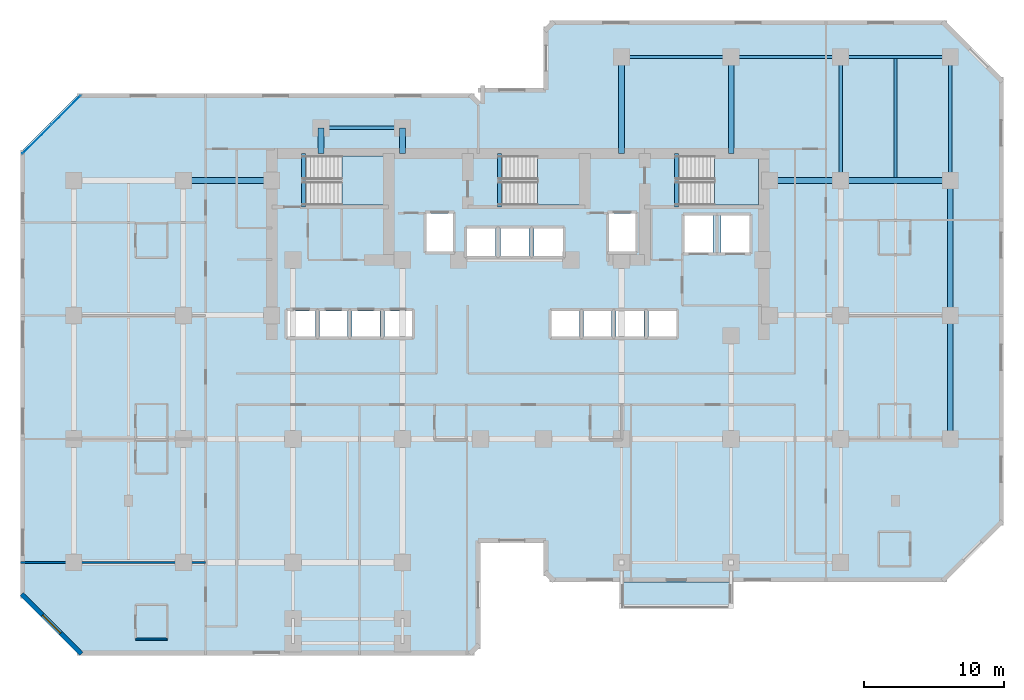
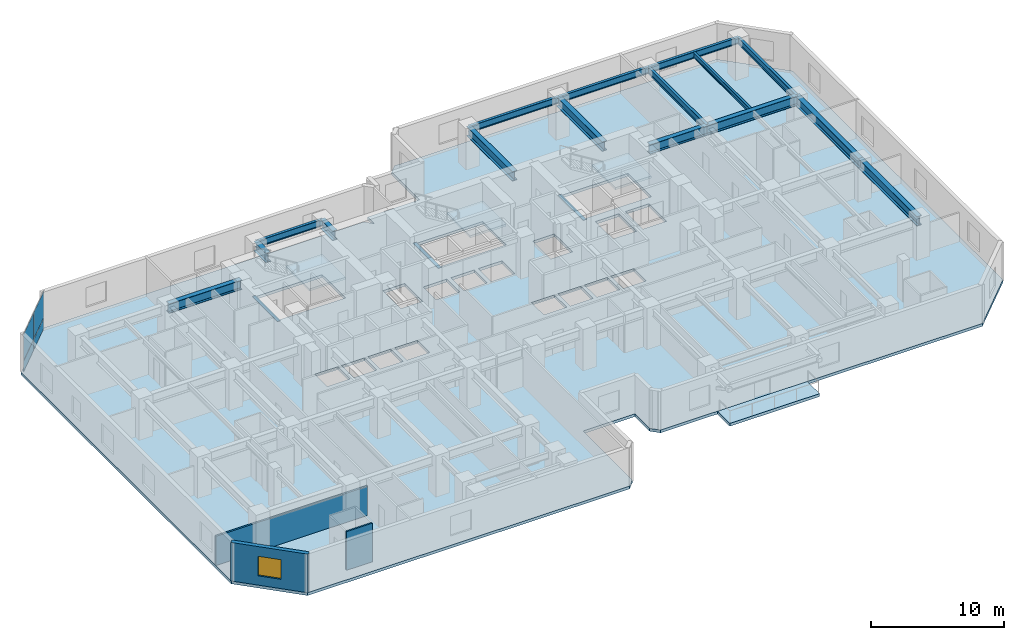
# One storey, part 4 of 11: 19 beams, 5 slabs, 4 plates, 3 walls, 1 window, 1 opening, 4 elements without a shape of their own.
"""IFC4 building model written with IfcOpenShell, lengths in metres."""

from ifc_helpers import new_model, si_unit, direction, frame, frame_2d, origin, origin_2d, place, context, subcontext, project, spatial, polyline, rectangle, i_section, outline, extrude, material, layer, layer_set, material_profile, profile_set, type_object, element, fill, aggregate, save


model = new_model("IFC4")

# Units and contexts
model_context = context("Model", 3, precision=1e-05, world=origin(), true_north=direction((0.0, 1.0)))
body_context = subcontext(model_context, "Body", "Model", "MODEL_VIEW")
ifc_project = project(units=[si_unit("LENGTHUNIT", "METRE"), si_unit("AREAUNIT", "SQUARE_METRE"), si_unit("VOLUMEUNIT", "CUBIC_METRE"), si_unit("PLANEANGLEUNIT", "RADIAN"), si_unit("MASSUNIT", "GRAM", prefix="KILO")], contexts=[model_context])

# Site, building, storey
site_placement = place(None, origin())
site = spatial("IfcSite", under=ifc_project, at=site_placement, CompositionType="ELEMENT")
building_placement = place(site_placement, origin())
building = spatial("IfcBuilding", under=site, at=building_placement, Name="Kestravale Grand Hotel", CompositionType="ELEMENT")
storey_placement = place(building_placement, frame((0.0, 0.0, 114.60009765625)))
storey = spatial("IfcBuildingStorey", under=building, at=storey_placement, Name="L28", CompositionType="ELEMENT", Elevation=114.60009765625)

# Beams
ifc_material_1 = material(Name="Steel ASTM A992 Grade 50", Category="steel")
ifc_material_profile_1 = material_profile(ifc_material_1, i_section(OverallWidth=0.19091796875, OverallDepth=0.45703125, WebThickness=0.009033203125, FlangeThickness=0.014404296875, FilletRadius=0.015380859375, at=origin_2d()))
ifc_profile_set_1 = profile_set([ifc_material_profile_1], Name="Steel ASTM A992 Grade 50")
beam_type_1 = type_object("IfcBeamType", Name="B-FLR-JST18", PredefinedType="JOIST", material=ifc_profile_set_1)
beam_1_placement = place(storey_placement, frame((66.300048828125, 38.6005859375, 3.3115234375), z_axis=(0.0, 1.0, 0.0), x_axis=(-1.0, 0.0, 0.0)))
element("IfcBeam", 1, at=beam_1_placement, inside=storey, type_object=beam_type_1, Name="L28 floor joist 10-11/F-G #1", PredefinedType="JOIST", context=body_context, shape_type="SweptSolid", body=[
    extrude(i_section(OverallWidth=0.19091796875, OverallDepth=0.45703125, WebThickness=0.009033203125, FlangeThickness=0.014404296875, FilletRadius=0.015380859375, at=origin_2d()), origin(), (0.0, 0.0, 1.0), 8.48486328125),
])
ifc_material_2 = material(Name="Concrete f'c 45 MPa", Category="concrete")
ifc_material_profile_2 = material_profile(ifc_material_2, rectangle(XDim=0.300048828125, YDim=0.39990234375, at=origin_2d()))
ifc_profile_set_2 = profile_set([ifc_material_profile_2], Name="Concrete f'c 45 MPa")
beam_type_2 = type_object("IfcBeamType", Name="B-FLR-LNT400", PredefinedType="LINTEL", material=ifc_profile_set_2)
for number, where, z_axis, x_axis, name in (
    (2, (24.159912109375, 36.52001953125, -0.2001953125), (0.0, 1.0, 0.0), (-1.0, 0.0, 0.0), "L28 ST1 flight bottom header beam"),
    (3, (38.110107421875, 36.52001953125, -0.2001953125), (0.0, 1.0, 0.0), (-1.0, 0.0, 0.0), "L28 ST2 flight bottom header beam"),
    (4, (50.7099609375, 36.52001953125, -0.2001953125), (0.0, 1.0, 0.0), (-1.0, 0.0, 0.0), "L28 ST3 flight bottom header beam"),
):
    element("IfcBeam", number, at=place(storey_placement, frame(where, z_axis=z_axis, x_axis=x_axis)), inside=storey, type_object=beam_type_2, Name=name, PredefinedType="LINTEL", context=body_context, shape_type="SweptSolid", body=[
        extrude(rectangle(XDim=0.300048828125, YDim=0.39990234375, at=origin_2d()), origin(), (0.0, 0.0, 1.0), 3.800048828125),
    ])
ifc_material_3 = material(Name="Steel ASTM A992 Grade 50", Category="steel")
ifc_material_profile_3 = material_profile(ifc_material_3, i_section(OverallWidth=0.22900390625, OverallDepth=0.612060546875, WebThickness=0.011962890625, FlangeThickness=0.01953125, FilletRadius=0.019287109375, at=origin_2d()))
ifc_profile_set_3 = profile_set([ifc_material_profile_3], Name="Steel ASTM A992 Grade 50")
beam_type_3 = type_object("IfcBeamType", Name="B-FLR-W24B", PredefinedType="SPANDREL", material=ifc_profile_set_3)
beam_2_placement = place(storey_placement, frame((46.800048828125, 47.199951171875, 3.23388671875), z_axis=(1.0, 0.0, 0.0), x_axis=(0.0, 1.0, 0.0)))
element("IfcBeam", 5, at=beam_2_placement, inside=storey, type_object=beam_type_3, Name="L28 spandrel G:8-9", PredefinedType="SPANDREL", context=body_context, shape_type="SweptSolid", body=[
    extrude(i_section(OverallWidth=0.22900390625, OverallDepth=0.612060546875, WebThickness=0.011962890625, FlangeThickness=0.01953125, FilletRadius=0.019287109375, at=origin_2d()), origin(), (0.0, 0.0, 1.0), 7.800048828125),
])
beam_3_placement = place(storey_placement, frame((54.60009765625, 47.199951171875, 3.23388671875), z_axis=(1.0, 0.0, 0.0), x_axis=(0.0, 1.0, 0.0)))
element("IfcBeam", 6, at=beam_3_placement, inside=storey, type_object=beam_type_3, Name="L28 spandrel G:9-10", PredefinedType="SPANDREL", context=body_context, shape_type="SweptSolid", body=[
    extrude(i_section(OverallWidth=0.22900390625, OverallDepth=0.612060546875, WebThickness=0.011962890625, FlangeThickness=0.01953125, FilletRadius=0.019287109375, at=origin_2d()), origin(), (0.0, 0.0, 1.0), 7.7998046875),
])
beam_4_placement = place(storey_placement, frame((62.39990234375, 47.199951171875, 3.23388671875), z_axis=(1.0, 0.0, 0.0), x_axis=(0.0, 1.0, 0.0)))
element("IfcBeam", 7, at=beam_4_placement, inside=storey, type_object=beam_type_3, Name="L28 spandrel G:10-11", PredefinedType="SPANDREL", context=body_context, shape_type="SweptSolid", body=[
    extrude(i_section(OverallWidth=0.22900390625, OverallDepth=0.612060546875, WebThickness=0.011962890625, FlangeThickness=0.01953125, FilletRadius=0.019287109375, at=origin_2d()), origin(), (0.0, 0.0, 1.0), 7.800048828125),
])
beam_5_placement = place(storey_placement, frame((25.39990234375, 42.14990234375, 3.23388671875), z_axis=(1.0, 0.0, 0.0), x_axis=(0.0, 1.0, 0.0)))
element("IfcBeam", 8, at=beam_5_placement, inside=storey, type_object=beam_type_3, Name="L28 perimeter tie spandrel FN:4-5", PredefinedType="SPANDREL", context=body_context, shape_type="SweptSolid", body=[
    extrude(i_section(OverallWidth=0.22900390625, OverallDepth=0.612060546875, WebThickness=0.011962890625, FlangeThickness=0.01953125, FilletRadius=0.019287109375, at=origin_2d()), origin(), (0.0, 0.0, 1.0), 5.800048828125),
])
for number, where, z_axis, x_axis, name in (
    (9, (62.39990234375, 38.39990234375, 3.23388671875), (0.0, 1.0, 0.0), (-1.0, 0.0, 0.0), "L28 spandrel 10:F-G"),
    (10, (70.199951171875, 38.39990234375, 3.23388671875), (0.0, 1.0, 0.0), (-1.0, 0.0, 0.0), "L28 spandrel 11:F-G"),
):
    element("IfcBeam", number, at=place(storey_placement, frame(where, z_axis=z_axis, x_axis=x_axis)), inside=storey, type_object=beam_type_3, Name=name, PredefinedType="SPANDREL", context=body_context, shape_type="SweptSolid", body=[
        extrude(i_section(OverallWidth=0.22900390625, OverallDepth=0.612060546875, WebThickness=0.011962890625, FlangeThickness=0.01953125, FilletRadius=0.019287109375, at=origin_2d()), origin(), (0.0, 0.0, 1.0), 8.800048828125),
    ])
ifc_material_4 = material(Name="Steel ASTM A992 Grade 50", Category="steel")
ifc_material_profile_4 = material_profile(ifc_material_4, i_section(OverallWidth=0.40087890625, OverallDepth=0.861083984375, WebThickness=0.019775390625, FlangeThickness=0.032470703125, FilletRadius=0.0234375, at=origin_2d()))
ifc_profile_set_4 = profile_set([ifc_material_profile_4], Name="Steel ASTM A992 Grade 50")
beam_type_4 = type_object("IfcBeamType", Name="B-GRD-W33", PredefinedType="BEAM", material=ifc_profile_set_4)
beam_6_placement = place(storey_placement, frame((15.60009765625, 38.39990234375, 3.109375), z_axis=(1.0, 0.0, 0.0), x_axis=(0.0, 1.0, 0.0)))
element("IfcBeam", 11, at=beam_6_placement, inside=storey, type_object=beam_type_4, Name="L28 girder F:3-CW", PredefinedType="BEAM", context=body_context, shape_type="SweptSolid", body=[
    extrude(i_section(OverallWidth=0.40087890625, OverallDepth=0.861083984375, WebThickness=0.019775390625, FlangeThickness=0.032470703125, FilletRadius=0.0234375, at=origin_2d()), origin(), (0.0, 0.0, 1.0), 6.2998046875),
])
beam_7_placement = place(storey_placement, frame((57.35009765625, 38.39990234375, 3.109375), z_axis=(1.0, 0.0, 0.0), x_axis=(0.0, 1.0, 0.0)))
element("IfcBeam", 12, at=beam_7_placement, inside=storey, type_object=beam_type_4, Name="L28 girder F:CE-10", PredefinedType="BEAM", context=body_context, shape_type="SweptSolid", body=[
    extrude(i_section(OverallWidth=0.40087890625, OverallDepth=0.861083984375, WebThickness=0.019775390625, FlangeThickness=0.032470703125, FilletRadius=0.0234375, at=origin_2d()), origin(), (0.0, 0.0, 1.0), 5.0498046875),
])
beam_8_placement = place(storey_placement, frame((62.39990234375, 38.39990234375, 3.109375), z_axis=(1.0, 0.0, 0.0), x_axis=(0.0, 1.0, 0.0)))
element("IfcBeam", 13, at=beam_8_placement, inside=storey, type_object=beam_type_4, Name="L28 girder F:10-11", PredefinedType="BEAM", context=body_context, shape_type="SweptSolid", body=[
    extrude(i_section(OverallWidth=0.40087890625, OverallDepth=0.861083984375, WebThickness=0.019775390625, FlangeThickness=0.032470703125, FilletRadius=0.0234375, at=origin_2d()), origin(), (0.0, 0.0, 1.0), 7.800048828125),
])
beam_9_placement = place(storey_placement, frame((70.199951171875, 20.0, 3.109375), z_axis=(0.0, 1.0, 0.0), x_axis=(-1.0, 0.0, 0.0)))
element("IfcBeam", 14, at=beam_9_placement, inside=storey, type_object=beam_type_4, Name="L28 girder 11:D-E", PredefinedType="BEAM", context=body_context, shape_type="SweptSolid", body=[
    extrude(i_section(OverallWidth=0.40087890625, OverallDepth=0.861083984375, WebThickness=0.019775390625, FlangeThickness=0.032470703125, FilletRadius=0.0234375, at=origin_2d()), origin(), (0.0, 0.0, 1.0), 8.800048828125),
])
beam_10_placement = place(storey_placement, frame((70.199951171875, 28.800048828125, 3.109375), z_axis=(0.0, 1.0, 0.0), x_axis=(-1.0, 0.0, 0.0)))
element("IfcBeam", 15, at=beam_10_placement, inside=storey, type_object=beam_type_4, Name="L28 girder 11:E-F", PredefinedType="BEAM", context=body_context, shape_type="SweptSolid", body=[
    extrude(i_section(OverallWidth=0.40087890625, OverallDepth=0.861083984375, WebThickness=0.019775390625, FlangeThickness=0.032470703125, FilletRadius=0.0234375, at=origin_2d()), origin(), (0.0, 0.0, 1.0), 9.599853515625),
])
for number, where, z_axis, x_axis, name in (
    (16, (25.39990234375, 40.320068359375, 3.109375), (0.0, 1.0, 0.0), (-1.0, 0.0, 0.0), "L28 north wing tie girder 4:CN-FN"),
    (17, (31.199951171875, 40.320068359375, 3.109375), (0.0, 1.0, 0.0), (-1.0, 0.0, 0.0), "L28 north wing tie girder 5:CN-FN"),
):
    element("IfcBeam", number, at=place(storey_placement, frame(where, z_axis=z_axis, x_axis=x_axis)), inside=storey, type_object=beam_type_4, Name=name, PredefinedType="BEAM", context=body_context, shape_type="SweptSolid", body=[
        extrude(i_section(OverallWidth=0.40087890625, OverallDepth=0.861083984375, WebThickness=0.019775390625, FlangeThickness=0.032470703125, FilletRadius=0.0234375, at=origin_2d()), origin(), (0.0, 0.0, 1.0), 1.829833984375),
    ])
for number, where, z_axis, x_axis, name in (
    (18, (46.800048828125, 40.320068359375, 3.109375), (0.0, 1.0, 0.0), (-1.0, 0.0, 0.0), "L28 north wing tie girder 8:CN-G"),
    (19, (54.60009765625, 40.320068359375, 3.109375), (0.0, 1.0, 0.0), (-1.0, 0.0, 0.0), "L28 north wing tie girder 9:CN-G"),
):
    element("IfcBeam", number, at=place(storey_placement, frame(where, z_axis=z_axis, x_axis=x_axis)), inside=storey, type_object=beam_type_4, Name=name, PredefinedType="BEAM", context=body_context, shape_type="SweptSolid", body=[
        extrude(i_section(OverallWidth=0.40087890625, OverallDepth=0.861083984375, WebThickness=0.019775390625, FlangeThickness=0.032470703125, FilletRadius=0.0234375, at=origin_2d()), origin(), (0.0, 0.0, 1.0), 6.8798828125),
    ])

# Curtain wall, plates
ifc_material_5 = material(Name="Thermally broken champagne-bronze aluminium and low-E glazing", Category="aluminium")
ifc_layer_1 = layer(ifc_material_5, 0.199951171875)
ifc_layer_set_1 = layer_set([ifc_layer_1], Name="CW-Z2")
curtain_wall_type = type_object("IfcCurtainWallType", Name="CW-Z2", PredefinedType="NOTDEFINED", material=ifc_layer_set_1)
curtain_wall_placement = place(storey_placement, origin())
curtain_wall = element("IfcCurtainWall", 20, at=curtain_wall_placement, inside=storey, type_object=curtain_wall_type, Name="L28 unitised curtain wall 18", PredefinedType="NOTDEFINED")
ifc_material_6 = material(Name="Insulated clear low-E double glazing IGU", Category="glass")
ifc_layer_2 = layer(ifc_material_6, 0.031982421875)
ifc_layer_set_2 = layer_set([ifc_layer_2], Name="CW-PNL-32")
plate_type = type_object("IfcPlateType", Name="CW-PNL-32", PredefinedType="CURTAIN_PANEL", material=ifc_layer_set_2)
plate_1_placement = place(storey_placement, frame((7.26416015625, 43.423583984375, 0.06494140625), z_axis=(0.0, 0.0, 1.0), x_axis=(-0.707106781187, -0.707106781187, 0.0)))
plate_1 = element("IfcPlate", 21, at=plate_1_placement, type_object=plate_type, Name="CW-Z2 panel 1.1", PredefinedType="CURTAIN_PANEL", context=body_context, shape_type="SweptSolid", body=[
    extrude(rectangle(XDim=2.87744140625, YDim=0.031982421875, at=origin_2d()), origin(), (0.0, 0.0, 1.0), 0.952392578125),
])
plate_2_placement = place(storey_placement, frame((7.26416015625, 43.423583984375, 1.082275390625), z_axis=(0.0, 0.0, 1.0), x_axis=(-0.707106781187, -0.707106781187, 0.0)))
plate_2 = element("IfcPlate", 22, at=plate_2_placement, type_object=plate_type, Name="CW-Z2 panel 1.2", PredefinedType="CURTAIN_PANEL", context=body_context, shape_type="SweptSolid", body=[
    extrude(rectangle(XDim=2.87744140625, YDim=0.031982421875, at=origin_2d()), origin(), (0.0, 0.0, 1.0), 2.392578125),
])
plate_3_placement = place(storey_placement, frame((5.17626953125, 41.3359375, 0.06494140625), z_axis=(0.0, 0.0, 1.0), x_axis=(-0.707106781187, -0.707106781187, 0.0)))
plate_3 = element("IfcPlate", 23, at=plate_3_placement, type_object=plate_type, Name="CW-Z2 panel 2.1", PredefinedType="CURTAIN_PANEL", context=body_context, shape_type="SweptSolid", body=[
    extrude(rectangle(XDim=2.87744140625, YDim=0.031982421875, at=origin_2d()), origin(), (0.0, 0.0, 1.0), 0.952392578125),
])
plate_4_placement = place(storey_placement, frame((5.17626953125, 41.3359375, 1.082275390625), z_axis=(0.0, 0.0, 1.0), x_axis=(-0.707106781187, -0.707106781187, 0.0)))
plate_4 = element("IfcPlate", 24, at=plate_4_placement, type_object=plate_type, Name="CW-Z2 panel 2.2", PredefinedType="CURTAIN_PANEL", context=body_context, shape_type="SweptSolid", body=[
    extrude(rectangle(XDim=2.87744140625, YDim=0.031982421875, at=origin_2d()), origin(), (0.0, 0.0, 1.0), 2.392578125),
])
aggregate(curtain_wall, [plate_1, plate_2, plate_3, plate_4])

# Slab
ifc_material_7 = material(Name="Concrete f'c 45 MPa", Category="concrete")
ifc_layer_3 = layer(ifc_material_7, 0.27001953125)
ifc_layer_set_3 = layer_set([ifc_layer_3], Name="ES-TERR-270")
slab_type_1 = type_object("IfcSlabType", Name="ES-TERR-270", PredefinedType="FLOOR", material=ifc_layer_set_3)
slab_1_placement = place(storey_placement, frame((0.0, 0.0, -0.27001953125)))
element("IfcSlab", 25, at=slab_1_placement, inside=storey, type_object=slab_type_1, Name="L28 spiralling planted garden terrace", PredefinedType="FLOOR", context=body_context, shape_type="SweptSolid", body=[
    extrude(outline(polyline([(46.800048828125, 7.949951171875), (54.60009765625, 7.949951171875), (54.60009765625, 9.800048828125), (46.800048828125, 9.800048828125), (46.800048828125, 7.949951171875)])), origin(), (0.0, 0.0, 1.0), 0.27001953125),
])

# Stair, slab
ifc_material_8 = material(Name="Concrete f'c 45 MPa", Category="concrete")
stair_type = type_object("IfcStairType", Name="ST-CORE-380", PredefinedType="HALF_TURN_STAIR", material=ifc_material_8)
stair_1_placement = place(storey_placement, origin())
stair_1 = element("IfcStair", 26, at=stair_1_placement, inside=storey, type_object=stair_type, Name="L28 ST-1", PredefinedType="HALF_TURN_STAIR")
ifc_material_9 = material(Name="Concrete f'c 45 MPa", Category="concrete")
ifc_layer_4 = layer(ifc_material_9, 0.199951171875)
ifc_layer_set_4 = layer_set([ifc_layer_4], Name="SLB-ST-LND200")
slab_type_2 = type_object("IfcSlabType", Name="SLB-ST-LND200", PredefinedType="LANDING", material=ifc_layer_set_4)
slab_2_placement = place(storey_placement, frame((0.0, 0.0, 1.699951171875)))
slab_2 = element("IfcSlab", 27, at=slab_2_placement, type_object=slab_type_2, Name="ST-1 landing 1", PredefinedType="LANDING", context=body_context, shape_type="SweptSolid", body=[
    extrude(outline(polyline([(26.8798828125, 36.64990234375), (30.0, 36.64990234375), (30.0, 40.159912109375), (26.8798828125, 40.159912109375), (26.8798828125, 36.64990234375)])), origin(), (0.0, 0.0, 1.0), 0.199951171875),
])
aggregate(stair_1, [slab_2])

stair_2_placement = place(storey_placement, origin())
stair_2 = element("IfcStair", 28, at=stair_2_placement, inside=storey, type_object=stair_type, Name="L28 ST-2", PredefinedType="HALF_TURN_STAIR")
slab_3_placement = place(storey_placement, frame((0.0, 0.0, 1.699951171875)))
slab_3 = element("IfcSlab", 29, at=slab_3_placement, type_object=slab_type_2, Name="ST-2 landing 1", PredefinedType="LANDING", context=body_context, shape_type="SweptSolid", body=[
    extrude(outline(polyline([(40.830078125, 36.64990234375), (43.949951171875, 36.64990234375), (43.949951171875, 40.159912109375), (40.830078125, 40.159912109375), (40.830078125, 36.64990234375)])), origin(), (0.0, 0.0, 1.0), 0.199951171875),
])
aggregate(stair_2, [slab_3])

stair_3_placement = place(storey_placement, origin())
stair_3 = element("IfcStair", 30, at=stair_3_placement, inside=storey, type_object=stair_type, Name="L28 ST-3", PredefinedType="HALF_TURN_STAIR")
slab_4_placement = place(storey_placement, frame((0.0, 0.0, 1.699951171875)))
slab_4 = element("IfcSlab", 31, at=slab_4_placement, type_object=slab_type_2, Name="ST-3 landing 1", PredefinedType="LANDING", context=body_context, shape_type="SweptSolid", body=[
    extrude(outline(polyline([(53.429931640625, 36.64990234375), (56.550048828125, 36.64990234375), (56.550048828125, 40.159912109375), (53.429931640625, 40.159912109375), (53.429931640625, 36.64990234375)])), origin(), (0.0, 0.0, 1.0), 0.199951171875),
])
aggregate(stair_3, [slab_4])

# Slab
ifc_material_10 = material(Name="Concrete f'c 45 MPa", Category="concrete")
ifc_layer_5 = layer(ifc_material_10, 0.260009765625)
ifc_layer_set_5 = layer_set([ifc_layer_5], Name="SS-FLR-260")
slab_type_3 = type_object("IfcSlabType", Name="SS-FLR-260", PredefinedType="FLOOR", material=ifc_layer_set_5)
slab_5_placement = place(storey_placement, frame((0.0, 0.0, -0.260009765625)))
element("IfcSlab", 32, at=slab_5_placement, inside=storey, type_object=slab_type_3, Name="L28 structural floor slab", PredefinedType="FLOOR", context=body_context, shape_type="SweptSolid", body=[
    extrude(outline(polyline([(8.199951171875, 4.60009765625), (36.14990234375, 4.60009765625), (36.75, 5.199951171875), (36.75, 12.60009765625), (41.25, 12.60009765625), (41.25, 10.39990234375), (41.85009765625, 9.800048828125), (69.800048828125, 9.800048828125), (74.0, 14.0), (74.0, 45.60009765625), (69.800048828125, 49.800048828125), (41.85009765625, 49.800048828125), (41.25, 49.199951171875), (41.25, 45.0), (36.75, 45.0), (36.75, 44.0), (36.14990234375, 44.60009765625), (8.199951171875, 44.60009765625), (4.0, 40.39990234375), (4.0, 8.800048828125), (8.199951171875, 4.60009765625)]), holes=[polyline([(24.080078125, 36.64990234375), (30.0, 36.64990234375), (30.0, 40.159912109375), (24.080078125, 40.159912109375), (24.080078125, 36.64990234375)]), polyline([(38.030029296875, 36.64990234375), (43.949951171875, 36.64990234375), (43.949951171875, 40.159912109375), (38.030029296875, 40.159912109375), (38.030029296875, 36.64990234375)]), polyline([(50.6298828125, 36.64990234375), (56.550048828125, 36.64990234375), (56.550048828125, 40.159912109375), (50.6298828125, 40.159912109375), (50.6298828125, 36.64990234375)]), polyline([(23.0048828125, 27.280029296875), (24.9951171875, 27.280029296875), (24.9951171875, 29.1201171875), (23.0048828125, 29.1201171875), (23.0048828125, 27.280029296875)]), polyline([(25.304931640625, 27.280029296875), (27.294921875, 27.280029296875), (27.294921875, 29.1201171875), (25.304931640625, 29.1201171875), (25.304931640625, 27.280029296875)]), polyline([(27.60498046875, 27.280029296875), (29.594970703125, 27.280029296875), (29.594970703125, 29.1201171875), (27.60498046875, 29.1201171875), (27.60498046875, 27.280029296875)]), polyline([(29.905029296875, 27.280029296875), (31.89501953125, 27.280029296875), (31.89501953125, 29.1201171875), (29.905029296875, 29.1201171875), (29.905029296875, 27.280029296875)]), polyline([(41.804931640625, 27.280029296875), (43.794921875, 27.280029296875), (43.794921875, 29.1201171875), (41.804931640625, 29.1201171875), (41.804931640625, 27.280029296875)]), polyline([(44.10498046875, 27.280029296875), (46.094970703125, 27.280029296875), (46.094970703125, 29.1201171875), (44.10498046875, 29.1201171875), (44.10498046875, 27.280029296875)]), polyline([(46.405029296875, 27.280029296875), (48.39501953125, 27.280029296875), (48.39501953125, 29.1201171875), (46.405029296875, 29.1201171875), (46.405029296875, 27.280029296875)]), polyline([(48.705078125, 27.280029296875), (50.695068359375, 27.280029296875), (50.695068359375, 29.1201171875), (48.705078125, 29.1201171875), (48.705078125, 27.280029296875)]), polyline([(35.780029296875, 33.030029296875), (37.820068359375, 33.030029296875), (37.820068359375, 34.969970703125), (35.780029296875, 34.969970703125), (35.780029296875, 33.030029296875)]), polyline([(38.179931640625, 33.030029296875), (40.219970703125, 33.030029296875), (40.219970703125, 34.969970703125), (38.179931640625, 34.969970703125), (38.179931640625, 33.030029296875)]), polyline([(40.580078125, 33.030029296875), (42.6201171875, 33.030029296875), (42.6201171875, 34.969970703125), (40.580078125, 34.969970703125), (40.580078125, 33.030029296875)]), polyline([(32.905029296875, 33.35498046875), (34.794921875, 33.35498046875), (34.794921875, 36.044921875), (32.905029296875, 36.044921875), (32.905029296875, 33.35498046875)]), polyline([(45.905029296875, 33.35498046875), (47.794921875, 33.35498046875), (47.794921875, 36.044921875), (45.905029296875, 36.044921875), (45.905029296875, 33.35498046875)]), polyline([(51.280029296875, 33.280029296875), (53.320068359375, 33.280029296875), (53.320068359375, 35.919921875), (51.280029296875, 35.919921875), (51.280029296875, 33.280029296875)]), polyline([(53.8798828125, 33.280029296875), (55.919921875, 33.280029296875), (55.919921875, 35.919921875), (53.8798828125, 35.919921875), (53.8798828125, 33.280029296875)])]), origin(), (0.0, 0.0, 1.0), 0.260009765625),
])

# Wall, opening, window
ifc_material_11 = material(Name="Precast concrete f'c 45 MPa", Category="concrete")
ifc_layer_6 = layer(ifc_material_11, 0.340087890625)
ifc_layer_set_6 = layer_set([ifc_layer_6], Name="EW-PREC-340")
wall_type_1 = type_object("IfcWallType", Name="EW-PREC-340", PredefinedType="SOLIDWALL", material=ifc_layer_set_6)
wall_1_placement = place(storey_placement, frame((4.091796875, 8.948486328125, 0.0), z_axis=(0.0, 0.0, 1.0), x_axis=(0.707106781187, -0.707106781187, 0.0)))
wall_1 = element("IfcWall", 33, at=wall_1_placement, inside=storey, type_object=wall_type_1, Name="L28 fluted precast facade wall 20", PredefinedType="SOLIDWALL", context=body_context, shape_type="SweptSolid", body=[
    extrude(rectangle(XDim=6.019775390625, YDim=0.340087890625, at=frame_2d((3.009765625, 0.0))), origin(), (0.0, 0.0, 1.0), 3.539794921875),
])
opening_placement = place(wall_1_placement, frame((2.10986328125, 0.0, 0.85009765625)))
opening = element("IfcOpeningElement", 34, at=opening_placement, cuts=wall_1, Name="Opening W-GUEST-1800", PredefinedType="OPENING", context=body_context, shape_type="SweptSolid", body=[
    extrude(rectangle(XDim=1.800048828125, YDim=1.800048828125, at=frame_2d((0.89990234375, 0.89990234375))), frame((0.0, 0.179931640625, 0.0), z_axis=(0.0, -1.0, 0.0), x_axis=(1.0, 0.0, 0.0)), (0.0, 0.0, 1.0), 0.360107421875),
])
ifc_material_12 = material(Name="Insulated low-E double glazing in aluminium frame", Category="aluminium")
window_type = type_object("IfcWindowType", Name="W-GUEST-1800", PartitioningType="DOUBLE_PANEL_VERTICAL", PredefinedType="WINDOW", material=ifc_material_12)
window_placement = place(opening_placement, origin())
window = element("IfcWindow", 35, at=window_placement, inside=storey, type_object=window_type, Name="L28 exterior window 20.1", OverallHeight=1.800048828125, OverallWidth=1.800048828125, PartitioningType="SINGLE_PANEL", PredefinedType="WINDOW", context=body_context, shape_type="SweptSolid", body=[
    extrude(rectangle(XDim=1.800048828125, YDim=1.800048828125, at=frame_2d((0.89990234375, 0.89990234375))), frame((0.0, 0.030029296875, 0.0), z_axis=(0.0, -1.0, 0.0), x_axis=(1.0, 0.0, 0.0)), (0.0, 0.0, 1.0), 0.06005859375),
])
fill(opening, window)

# Walls
ifc_material_13 = material(Name="Moisture-resistant tile-backer plumbing chase wall", Category="other")
ifc_layer_7 = layer(ifc_material_13, 0.139892578125)
ifc_layer_set_7 = layer_set([ifc_layer_7], Name="IW-PLB-140")
wall_type_2 = type_object("IfcWallType", Name="IW-PLB-140", PredefinedType="PLUMBINGWALL", material=ifc_layer_set_7)
wall_2_placement = place(storey_placement, frame((12.199951171875, 5.75, 0.0), z_axis=(0.0, 0.0, 1.0), x_axis=(1.0, 0.0, 0.0)))
element("IfcWall", 36, at=wall_2_placement, inside=storey, type_object=wall_type_2, Name="W-L28-U03-BS", PredefinedType="PLUMBINGWALL", context=body_context, shape_type="SweptSolid", body=[
    extrude(rectangle(XDim=2.25, YDim=0.139892578125, at=frame_2d((1.125, 0.0))), origin(), (0.0, 0.0, 1.0), 3.539794921875),
])
ifc_material_14 = material(Name="Double-stud STC 52 acoustic demising partition", Category="other")
ifc_layer_8 = layer(ifc_material_14, 0.14990234375)
ifc_layer_set_8 = layer_set([ifc_layer_8], Name="IW-UNIT-150")
wall_type_3 = type_object("IfcWallType", Name="IW-UNIT-150", PredefinedType="PARTITIONING", material=ifc_layer_set_8)
wall_3_placement = place(storey_placement, frame((4.02001953125, 11.199951171875, 0.0), z_axis=(0.0, 0.0, 1.0), x_axis=(1.0, 0.0, 0.0)))
element("IfcWall", 37, at=wall_3_placement, inside=storey, type_object=wall_type_3, Name="W-L28-WW-1", PredefinedType="PARTITIONING", context=body_context, shape_type="SweptSolid", body=[
    extrude(rectangle(XDim=13.169921875, YDim=0.14990234375, at=frame_2d((6.5849609375, 0.0))), origin(), (0.0, 0.0, 1.0), 2.678955078125),
])

save(model, "model.ifc")
